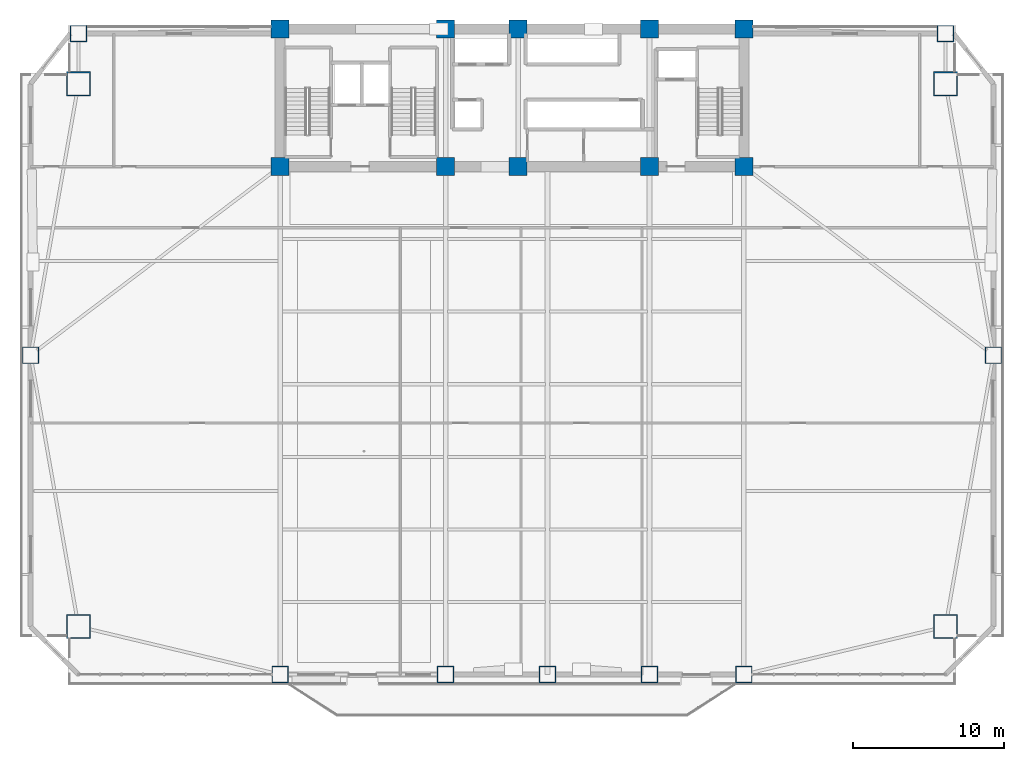
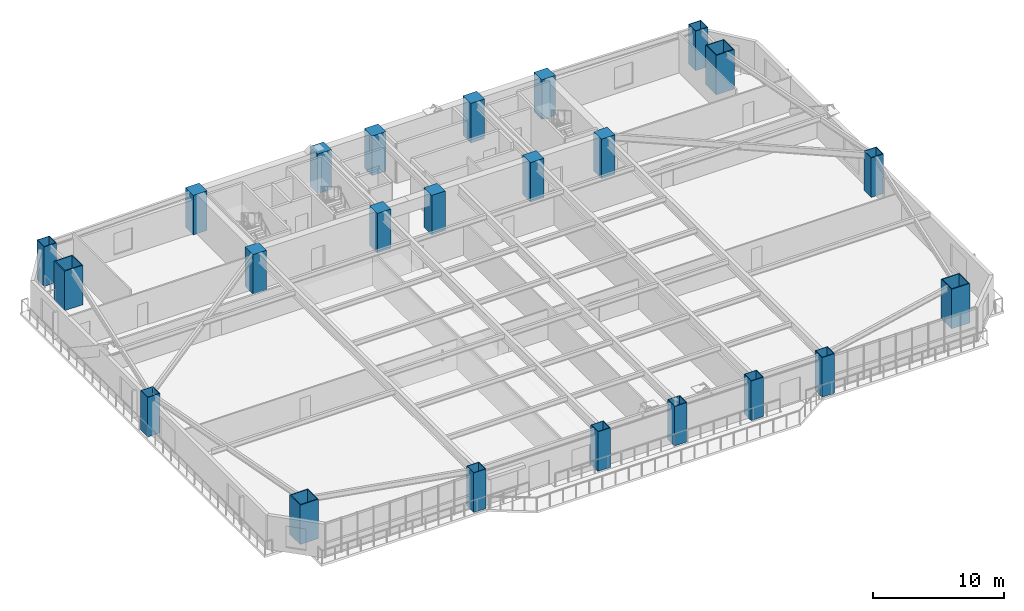
# One storey, part 1 of 17: 23 columns.
"""IFC4 building model written with IfcOpenShell, lengths in metres."""

from ifc_helpers import new_model, si_unit, direction, frame, origin, origin_2d, place, context, subcontext, project, spatial, rectangle, hollow_rectangle, extrude, source, transform, mapped, material, material_profile, profile_set, type_object, element, save


model = new_model("IFC4")

# Units and contexts
model_context = context("Model", 3, precision=1e-05, world=origin(), true_north=direction((0.0, 1.0)))
body_context = subcontext(model_context, "Body", "Model", "MODEL_VIEW")
ifc_project = project(units=[si_unit("LENGTHUNIT", "METRE"), si_unit("AREAUNIT", "SQUARE_METRE"), si_unit("VOLUMEUNIT", "CUBIC_METRE"), si_unit("PLANEANGLEUNIT", "RADIAN"), si_unit("MASSUNIT", "GRAM", prefix="KILO")], contexts=[model_context])

# Site, building, storey
site_placement = place(None, origin())
site = spatial("IfcSite", under=ifc_project, at=site_placement, CompositionType="ELEMENT")
building_placement = place(site_placement, origin())
building = spatial("IfcBuilding", under=site, at=building_placement, Name="Giltprow Tower", CompositionType="ELEMENT")
storey_placement = place(building_placement, frame((0.0, 0.0, 41.0)))
storey = spatial("IfcBuildingStorey", under=building, at=storey_placement, Name="L10", CompositionType="ELEMENT", Elevation=41.0)

# Columns
ifc_material_1 = material(Name="Concrete C60", Category="concrete")
ifc_material_profile_1 = material_profile(ifc_material_1, rectangle(XDim=1.199951171875, YDim=1.199951171875, at=origin_2d()), Name="RC 1200x1200")
ifc_profile_set_1 = profile_set([ifc_material_profile_1], Name="Concrete C60")
column_type_1 = type_object("IfcColumnType", Name="PIL-RC-1200-C60", PredefinedType="PILASTER", material=ifc_profile_set_1)
shared_shape_1 = source(origin(), body_context, "Body", "SweptSolid", [
    extrude(rectangle(XDim=1.199951171875, YDim=1.199951171875, at=origin_2d()), origin(), (0.0, 0.0, 1.0), 3.679931640625),
])
for number, where, z_axis, x_axis, name in (
    (1, (19.85009765625, 37.449951171875, 0.0), (0.0, 0.0, 1.0), (1.0, 0.0, 0.0), "L10 Core Boundary Pilaster 1-1"),
    (2, (19.85009765625, 46.550048828125, 0.0), (0.0, 0.0, 1.0), (1.0, 0.0, 0.0), "L10 Core Boundary Pilaster 1-2"),
    (3, (30.800048828125, 37.449951171875, 0.0), (0.0, 0.0, 1.0), (1.0, 0.0, 0.0), "L10 Core Boundary Pilaster 2-1"),
    (4, (30.800048828125, 46.550048828125, 0.0), (0.0, 0.0, 1.0), (1.0, 0.0, 0.0), "L10 Core Boundary Pilaster 2-2"),
    (5, (35.60009765625, 37.449951171875, 0.0), (0.0, 0.0, 1.0), (1.0, 0.0, 0.0), "L10 Core Boundary Pilaster 3-1"),
    (6, (35.60009765625, 46.550048828125, 0.0), (0.0, 0.0, 1.0), (1.0, 0.0, 0.0), "L10 Core Boundary Pilaster 3-2"),
    (7, (44.300048828125, 37.449951171875, 0.0), (0.0, 0.0, 1.0), (1.0, 0.0, 0.0), "L10 Core Boundary Pilaster 4-1"),
    (8, (44.300048828125, 46.550048828125, 0.0), (0.0, 0.0, 1.0), (1.0, 0.0, 0.0), "L10 Core Boundary Pilaster 4-2"),
    (9, (50.550048828125, 37.449951171875, 0.0), (0.0, 0.0, 1.0), (1.0, 0.0, 0.0), "L10 Core Boundary Pilaster 5-1"),
    (10, (50.550048828125, 46.550048828125, 0.0), (0.0, 0.0, 1.0), (1.0, 0.0, 0.0), "L10 Core Boundary Pilaster 5-2"),
):
    element("IfcColumn", number, at=place(storey_placement, frame(where, z_axis=z_axis, x_axis=x_axis)), inside=storey, type_object=column_type_1, Name=name, PredefinedType="PILASTER", context=body_context, shape_type="MappedRepresentation", body=[
        mapped(shared_shape_1, transform((0.0, 0.0, 0.0), x_axis=(1.0, 0.0, 0.0), y_axis=(0.0, 1.0, 0.0), z_axis=(0.0, 0.0, 1.0), scale=1.0)),
    ])
ifc_material_2 = material(Name="Structural steel Q420GJC", Category="steel")
ifc_material_profile_2 = material_profile(ifc_material_2, hollow_rectangle(XDim=1.60009765625, YDim=1.60009765625, WallThickness=0.074951171875, at=origin_2d()), Name="BOX 1600x1600x75")
ifc_profile_set_2 = profile_set([ifc_material_profile_2], Name="Structural steel Q420GJC")
column_type_2 = type_object("IfcColumnType", Name="COL-BOX-1600x1600x75", PredefinedType="COLUMN", material=ifc_profile_set_2)
shared_shape_2 = source(origin(), body_context, "Body", "SweptSolid", [
    extrude(hollow_rectangle(XDim=1.60009765625, YDim=1.60009765625, WallThickness=0.074951171875, at=origin_2d()), origin(), (0.0, 0.0, 1.0), 3.679931640625),
])
for number, where, z_axis, x_axis, name in (
    (11, (6.509033203125, 7.0009765625, 0.0), (0.0, 0.0, 1.0), (1.0, 0.0, 0.0), "L10 Mega-Column MC_SW"),
    (12, (63.89111328125, 7.0009765625, 0.0), (0.0, 0.0, 1.0), (1.0, 0.0, 0.0), "L10 Mega-Column MC_SE"),
    (13, (6.509033203125, 42.926025390625, 0.0), (0.0, 0.0, 1.0), (1.0, 0.0, 0.0), "L10 Mega-Column MC_NW"),
    (14, (63.89111328125, 42.926025390625, 0.0), (0.0, 0.0, 1.0), (1.0, 0.0, 0.0), "L10 Mega-Column MC_NE"),
):
    element("IfcColumn", number, at=place(storey_placement, frame(where, z_axis=z_axis, x_axis=x_axis)), inside=storey, type_object=column_type_2, Name=name, PredefinedType="COLUMN", context=body_context, shape_type="MappedRepresentation", body=[
        mapped(shared_shape_2, transform((0.0, 0.0, 0.0), x_axis=(1.0, 0.0, 0.0), y_axis=(0.0, 1.0, 0.0), z_axis=(0.0, 0.0, 1.0), scale=1.0)),
    ])
ifc_material_profile_3 = material_profile(ifc_material_2, hollow_rectangle(XDim=1.10009765625, YDim=1.10009765625, WallThickness=0.050048828125, at=origin_2d()), Name="BOX 1100x1100x50")
ifc_profile_set_3 = profile_set([ifc_material_profile_3], Name="Structural steel Q420GJC")
column_type_3 = type_object("IfcColumnType", Name="COL-BOX-1100x1100x50", PredefinedType="COLUMN", material=ifc_profile_set_3)
shared_shape_3 = source(origin(), body_context, "Body", "SweptSolid", [
    extrude(hollow_rectangle(XDim=1.10009765625, YDim=1.10009765625, WallThickness=0.050048828125, at=origin_2d()), origin(), (0.0, 0.0, 1.0), 3.679931640625),
])
for number, where, z_axis, x_axis, name in (
    (15, (19.85009765625, 3.826904296875, 0.0), (0.0, 0.0, 1.0), (1.0, 0.0, 0.0), "L10 Perimeter Column S1"),
    (16, (30.800048828125, 3.826904296875, 0.0), (0.0, 0.0, 1.0), (1.0, 0.0, 0.0), "L10 Perimeter Column S2"),
    (17, (37.550048828125, 3.826904296875, 0.0), (0.0, 0.0, 1.0), (1.0, 0.0, 0.0), "L10 Perimeter Column S_MID"),
    (18, (44.300048828125, 3.826904296875, 0.0), (0.0, 0.0, 1.0), (1.0, 0.0, 0.0), "L10 Perimeter Column S3"),
    (19, (50.550048828125, 3.826904296875, 0.0), (0.0, 0.0, 1.0), (1.0, 0.0, 0.0), "L10 Perimeter Column S4"),
    (20, (3.3349609375, 24.962890625, 0.0), (0.0, 0.0, 1.0), (1.0, 0.0, 0.0), "L10 Perimeter Column W_MID"),
    (21, (67.06494140625, 24.962890625, 0.0), (0.0, 0.0, 1.0), (1.0, 0.0, 0.0), "L10 Perimeter Column E_MID"),
    (22, (6.509033203125, 46.25, 0.0), (0.0, 0.0, 1.0), (1.0, 0.0, 0.0), "L10 Perimeter Column N_W"),
    (23, (63.89111328125, 46.25, 0.0), (0.0, 0.0, 1.0), (1.0, 0.0, 0.0), "L10 Perimeter Column N_E"),
):
    element("IfcColumn", number, at=place(storey_placement, frame(where, z_axis=z_axis, x_axis=x_axis)), inside=storey, type_object=column_type_3, Name=name, PredefinedType="COLUMN", context=body_context, shape_type="MappedRepresentation", body=[
        mapped(shared_shape_3, transform((0.0, 0.0, 0.0), x_axis=(1.0, 0.0, 0.0), y_axis=(0.0, 1.0, 0.0), z_axis=(0.0, 0.0, 1.0), scale=1.0)),
    ])

save(model, "model.ifc")
